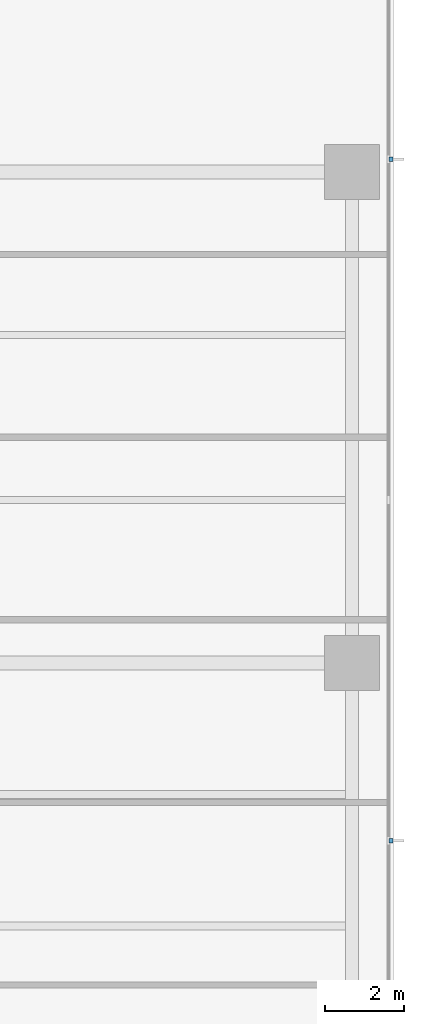
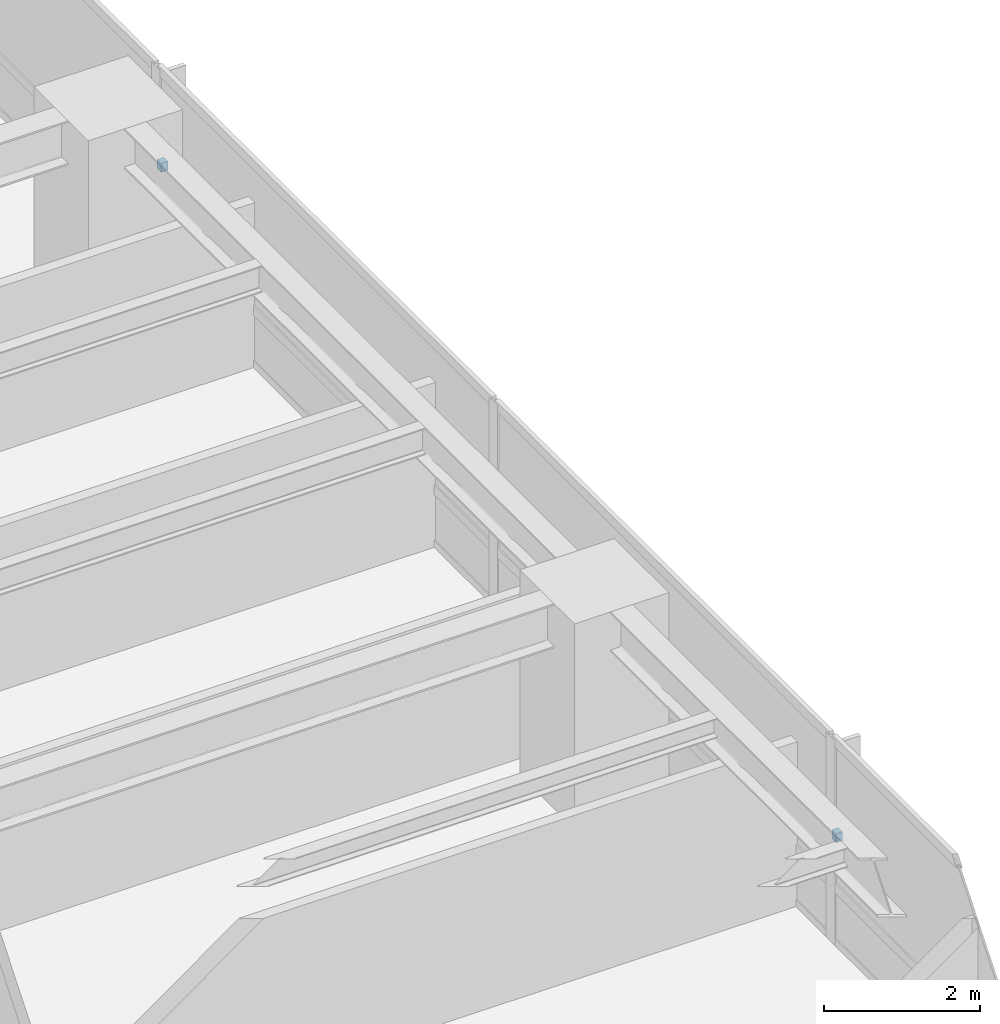
# One storey, part 14 of 18: 2 discrete accessories.
"""IFC4 building model written with IfcOpenShell, lengths in metres."""

from ifc_helpers import new_model, si_unit, direction, frame, origin, place, context, subcontext, project, spatial, polyline, outline, extrude, material, type_object, element, save


model = new_model("IFC4")

# Units and contexts
model_context = context("Model", 3, precision=1e-05, world=origin(), true_north=direction((0.0, 1.0)))
body_context = subcontext(model_context, "Body", "Model", "MODEL_VIEW")
ifc_project = project(units=[si_unit("LENGTHUNIT", "METRE"), si_unit("AREAUNIT", "SQUARE_METRE"), si_unit("VOLUMEUNIT", "CUBIC_METRE"), si_unit("PLANEANGLEUNIT", "RADIAN"), si_unit("MASSUNIT", "GRAM", prefix="KILO")], contexts=[model_context])

# Site, building, storey
site_placement = place(None, origin())
site = spatial("IfcSite", under=ifc_project, at=site_placement, CompositionType="ELEMENT")
building_placement = place(site_placement, origin())
building = spatial("IfcBuilding", under=site, at=building_placement, Name="Qalmaran Belvedere Hotel", CompositionType="ELEMENT")
storey_placement = place(building_placement, frame((0.0, 0.0, 54.39990234375)))
storey = spatial("IfcBuildingStorey", under=building, at=storey_placement, Name="L13", CompositionType="ELEMENT", Elevation=54.39990234375)

# Discrete accessories
ifc_material = material(Name="Stainless Steel 1.4401", Category="steel")
discrete_accessory_type = type_object("IfcDiscreteAccessoryType", Name="BRK-FIN-SS316", PredefinedType="BRACKET", material=ifc_material)
discrete_accessory_1_placement = place(storey_placement, frame((0.0, 0.0, 1.56005859375)))
element("IfcDiscreteAccessory", 1, at=discrete_accessory_1_placement, inside=storey, type_object=discrete_accessory_type, Name="L13 Fin Bracket 1", PredefinedType="BRACKET", context=body_context, shape_type="SweptSolid", body=[
    extrude(outline(polyline([(61.695068359375, 15.919921875), (61.79248046875, 15.919921875), (61.79248046875, 16.030029296875), (61.695068359375, 16.030029296875), (61.695068359375, 15.919921875)])), origin(), (0.0, 0.0, 1.0), 0.14013671875),
])
discrete_accessory_2_placement = place(storey_placement, frame((0.0, 0.0, 1.56005859375)))
element("IfcDiscreteAccessory", 2, at=discrete_accessory_2_placement, inside=storey, type_object=discrete_accessory_type, Name="L13 Fin Bracket 3", PredefinedType="BRACKET", context=body_context, shape_type="SweptSolid", body=[
    extrude(outline(polyline([(61.695068359375, 33.27001953125), (61.79248046875, 33.27001953125), (61.79248046875, 33.3798828125), (61.695068359375, 33.3798828125), (61.695068359375, 33.27001953125)])), origin(), (0.0, 0.0, 1.0), 0.14013671875),
])

save(model, "model.ifc")
